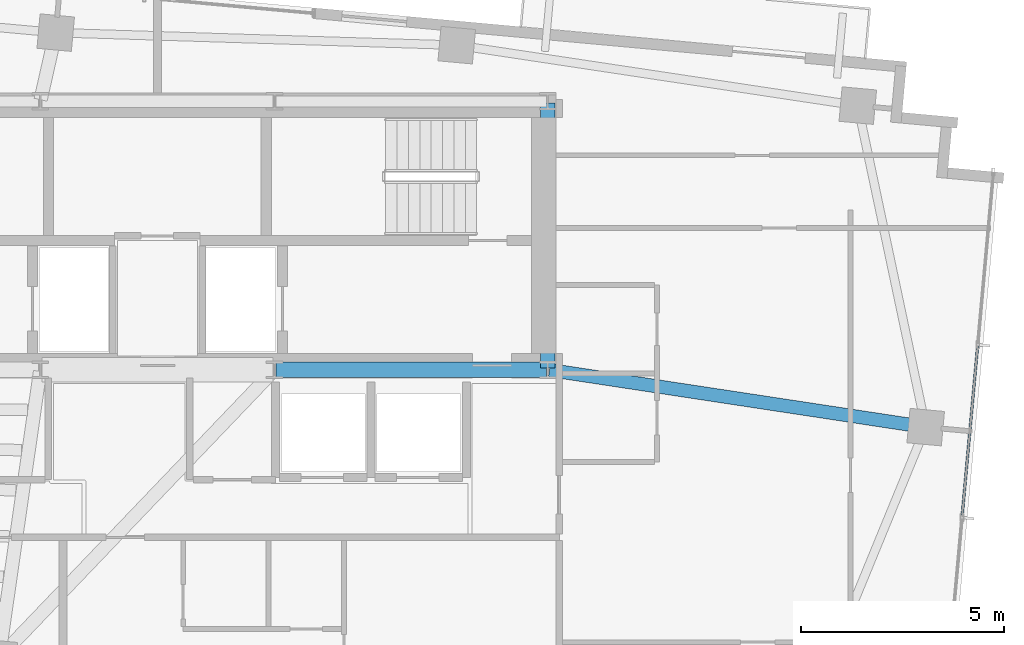
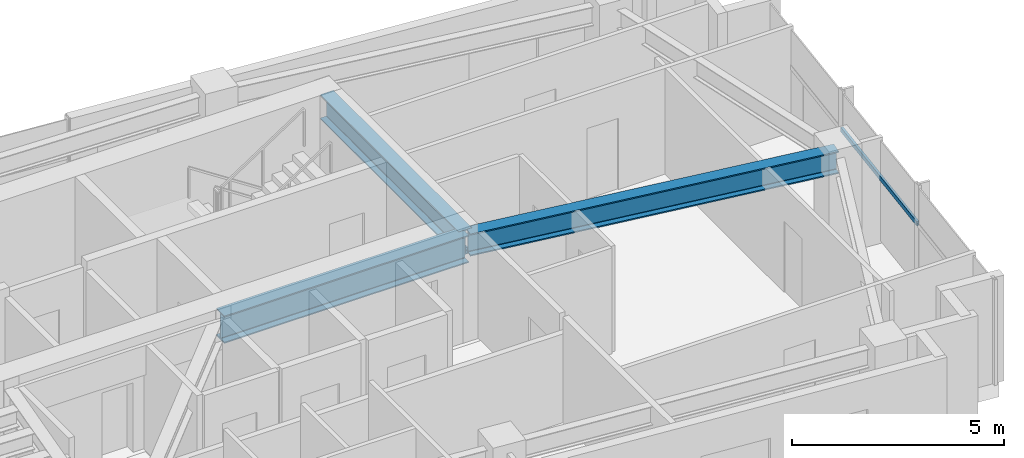
# One storey, part 13 of 22: 3 beams, 1 member, 1 element without a shape of its own.
"""IFC4 building model written with IfcOpenShell, lengths in metres."""

from ifc_helpers import new_model, si_unit, direction, frame, origin, origin_2d, place, context, subcontext, project, spatial, hollow_rectangle, i_section, extrude, source, transform, mapped, material, material_profile, profile_set, type_object, type_shapes, element, aggregate, save


model = new_model("IFC4")

# Units and contexts
model_context = context("Model", 3, precision=1e-05, world=origin(), true_north=direction((0.0, 1.0)))
body_context = subcontext(model_context, "Body", "Model", "MODEL_VIEW")
ifc_project = project(units=[si_unit("LENGTHUNIT", "METRE"), si_unit("AREAUNIT", "SQUARE_METRE"), si_unit("VOLUMEUNIT", "CUBIC_METRE"), si_unit("PLANEANGLEUNIT", "RADIAN"), si_unit("MASSUNIT", "GRAM", prefix="KILO")], contexts=[model_context])

# Site, building, storey
site_placement = place(None, origin())
site = spatial("IfcSite", under=ifc_project, at=site_placement, CompositionType="ELEMENT")
building_placement = place(site_placement, origin())
building = spatial("IfcBuilding", under=site, at=building_placement, Name="Astriad Promenade Condominiums", CompositionType="ELEMENT")
storey_placement = place(building_placement, frame((0.0, 0.0, 216.60009765625)))
storey = spatial("IfcBuildingStorey", under=building, at=storey_placement, Name="L62", CompositionType="ELEMENT", Elevation=216.60009765625)

# Beams
ifc_material_1 = material(Name="Steel ASTM A992 Grade 50", Category="steel")
ifc_material_profile_1 = material_profile(ifc_material_1, i_section(OverallWidth=0.3837890625, OverallDepth=0.785888671875, WebThickness=0.019775390625, FlangeThickness=0.033447265625, FilletRadius=0.021484375, at=origin_2d()), Name="W30X211")
ifc_profile_set_1 = profile_set([ifc_material_profile_1], Name="Steel ASTM A992 Grade 50")
beam_type_1 = type_object("IfcBeamType", Name="STEEL FLOOR GIRDER W30X211", PredefinedType="BEAM", material=ifc_profile_set_1)
shared_shape_1 = source(origin(), body_context, "Body", "SweptSolid", [
    extrude(i_section(OverallWidth=0.3837890625, OverallDepth=0.785888671875, WebThickness=0.019775390625, FlangeThickness=0.033447265625, FilletRadius=0.021484375, at=origin_2d()), origin(), (0.0, 0.0, 1.0), 6.64013671875),
])
type_shapes(beam_type_1, [shared_shape_1])
beam_1_placement = place(storey_placement, frame((38.919921875, 17.39990234375, 2.64697265625), z_axis=(1.0, 0.0, 0.0), x_axis=(0.0, 1.0, 0.0)))
element("IfcBeam", 1, at=beam_1_placement, inside=storey, type_object=beam_type_1, Name="Core Ring Beam CG-S3-L62", PredefinedType="BEAM", context=body_context, shape_type="MappedRepresentation", body=[
    mapped(shared_shape_1, transform((0.0, 0.0, 0.0), scale=1.0)),
])
ifc_material_profile_2 = material_profile(ifc_material_1, i_section(OverallWidth=0.35791015625, OverallDepth=0.706298828125, WebThickness=0.018310546875, FlangeThickness=0.0302734375, FilletRadius=0.020263671875, at=origin_2d()), Name="W27X178")
ifc_profile_set_2 = profile_set([ifc_material_profile_2], Name="Steel ASTM A992 Grade 50")
beam_type_2 = type_object("IfcBeamType", Name="STEEL FLOOR GIRDER W27X178", PredefinedType="BEAM", material=ifc_profile_set_2)
shared_shape_2 = source(origin(), body_context, "Body", "SweptSolid", [
    extrude(i_section(OverallWidth=0.35791015625, OverallDepth=0.706298828125, WebThickness=0.018310546875, FlangeThickness=0.0302734375, FilletRadius=0.020263671875, at=origin_2d()), origin(), (0.0, 0.0, 1.0), 6.52001953125),
])
type_shapes(beam_type_2, [shared_shape_2])
beam_2_placement = place(storey_placement, frame((45.60009765625, 17.43994140625, 2.686767578125), z_axis=(0.0, 1.0, 0.0), x_axis=(-1.0, 0.0, 0.0)))
element("IfcBeam", 2, at=beam_2_placement, inside=storey, type_object=beam_type_2, Name="Core Ring Beam CG-E1-L62", PredefinedType="BEAM", context=body_context, shape_type="MappedRepresentation", body=[
    mapped(shared_shape_2, transform((0.0, 0.0, 0.0), scale=1.0)),
])
ifc_material_profile_3 = material_profile(ifc_material_1, i_section(OverallWidth=0.327392578125, OverallDepth=0.640625, WebThickness=0.01904296875, FlangeThickness=0.033935546875, FilletRadius=0.017822265625, at=origin_2d()), Name="W24X176")
ifc_profile_set_3 = profile_set([ifc_material_profile_3], Name="Steel ASTM A992 Grade 50")
beam_type_3 = type_object("IfcBeamType", Name="STEEL FLOOR GIRDER W24X176", PredefinedType="BEAM", material=ifc_profile_set_3)
shared_shape_3 = source(origin(), body_context, "Body", "SweptSolid", [
    extrude(i_section(OverallWidth=0.327392578125, OverallDepth=0.640625, WebThickness=0.01904296875, FlangeThickness=0.033935546875, FilletRadius=0.017822265625, at=origin_2d()), origin(), (0.0, 0.0, 1.0), 9.315185546875),
])
type_shapes(beam_type_3, [shared_shape_3])
beam_3_placement = place(storey_placement, frame((54.84912109375, 15.995849609375, 2.719482421875), z_axis=(-0.988671230988, 0.150097291834, 0.0), x_axis=(-0.150097291834, -0.988671230988, 0.0)))
element("IfcBeam", 3, at=beam_3_placement, inside=storey, type_object=beam_type_3, Name="Primary Floor Girder PG-EM-L62", PredefinedType="BEAM", context=body_context, shape_type="MappedRepresentation", body=[
    mapped(shared_shape_3, transform((0.0, 0.0, 0.0), scale=1.0)),
])

# Curtain wall, member
ifc_material_2 = material(Name="Anodised aluminium Black Dark Glass Unitised", Category="aluminium")
curtain_wall_type = type_object("IfcCurtainWallType", Name="CW-B5-DARK", PredefinedType="USERDEFINED", material=ifc_material_2)
curtain_wall_placement = place(storey_placement, origin())
curtain_wall = element("IfcCurtainWall", 4, at=curtain_wall_placement, inside=storey, type_object=curtain_wall_type, Name="CW-L62-E", ObjectType="UNITISED_CURTAIN_WALL", PredefinedType="USERDEFINED")
ifc_material_3 = material(Name="Anodised aluminium 6063-T6 Black", Category="aluminium")
ifc_material_profile_4 = material_profile(ifc_material_3, hollow_rectangle(XDim=0.06494140625, YDim=0.1298828125, WallThickness=0.00390625, at=origin_2d()), Name="ALU-TRN-65X130")
ifc_profile_set_4 = profile_set([ifc_material_profile_4], Name="Anodised aluminium 6063-T6 Black")
member_type = type_object("IfcMemberType", Name="TRN-ALU-TRN-65X130", PredefinedType="USERDEFINED", material=ifc_profile_set_4)
shared_shape_4 = source(origin(), body_context, "Body", "SweptSolid", [
    extrude(hollow_rectangle(XDim=0.06494140625, YDim=0.1298828125, WallThickness=0.00390625, at=origin_2d()), origin(), (0.0, 0.0, 1.0), 4.266845703125),
])
type_shapes(member_type, [shared_shape_4])
member_placement = place(storey_placement, frame((56.16748046875, 18.015625, 1.884765625), z_axis=(-0.090633767096, -0.995884290599, 0.0), x_axis=(0.995884290599, -0.090633767096, 0.0)))
member = element("IfcMember", 5, at=member_placement, type_object=member_type, Name="CW-L62-E-TRN-01-0", ObjectType="TRANSOM", PredefinedType="USERDEFINED", context=body_context, shape_type="MappedRepresentation", body=[
    mapped(shared_shape_4, transform((0.0, 0.0, 0.0), scale=1.0)),
])
aggregate(curtain_wall, [member])

save(model, "model.ifc")
